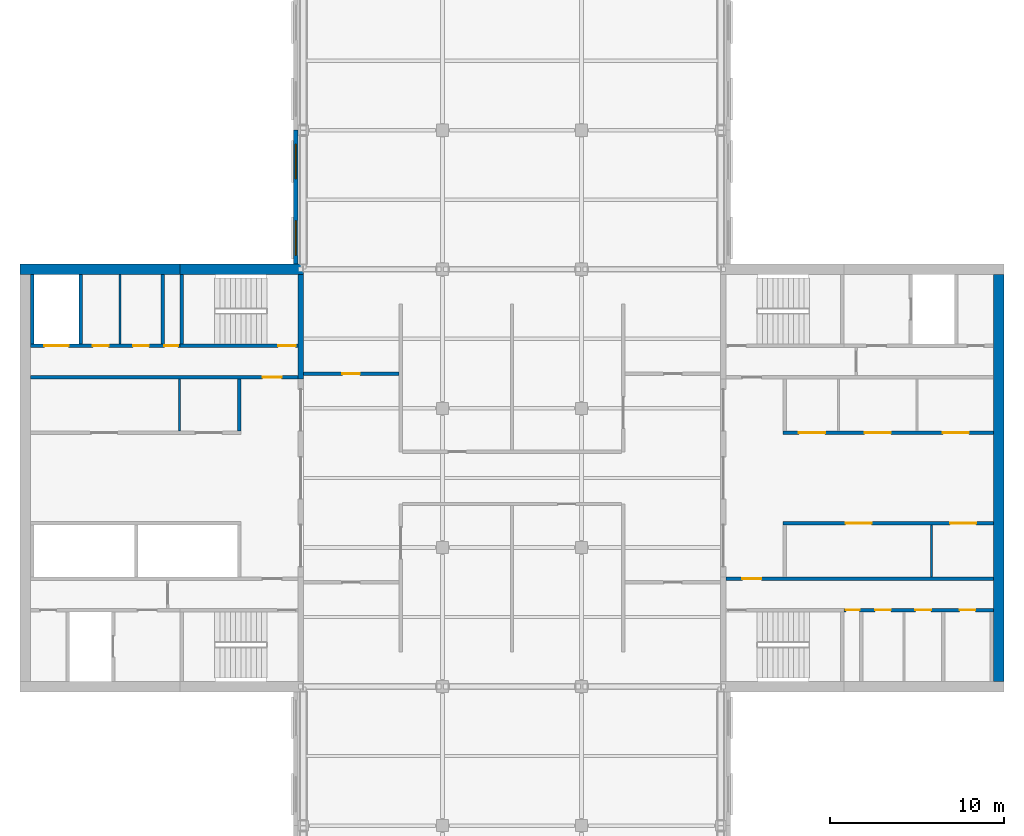
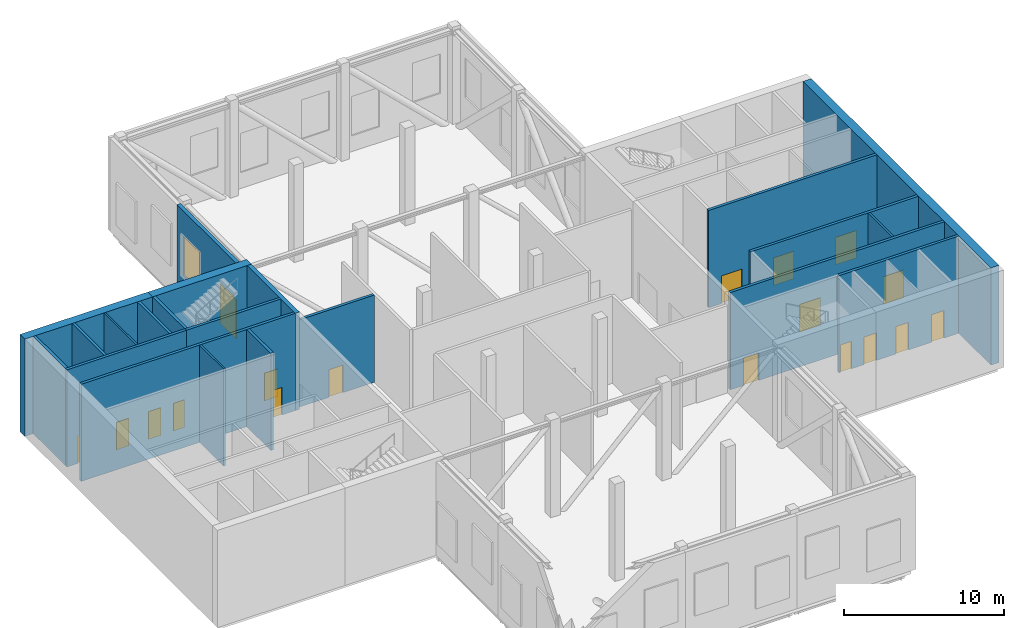
# One storey, part 5 of 10: 21 walls, 17 doors, 2 windows, 19 openings.
"""IFC4 building model written with IfcOpenShell, lengths in metres."""

from ifc_helpers import new_model, si_unit, direction, frame, frame_2d, origin, place, context, subcontext, project, spatial, rectangle, extrude, material, layer, layer_set, constituent, constituent_set, type_object, element, fill, save


model = new_model("IFC4")

# Units and contexts
model_context = context("Model", 3, precision=1e-05, world=origin(), true_north=direction((0.0, 1.0)))
body_context = subcontext(model_context, "Body", "Model", "MODEL_VIEW")
ifc_project = project(units=[si_unit("LENGTHUNIT", "METRE"), si_unit("AREAUNIT", "SQUARE_METRE"), si_unit("VOLUMEUNIT", "CUBIC_METRE"), si_unit("PLANEANGLEUNIT", "RADIAN"), si_unit("MASSUNIT", "GRAM", prefix="KILO")], contexts=[model_context])

# Site, building, storey
site_placement = place(None, origin())
site = spatial("IfcSite", under=ifc_project, at=site_placement, CompositionType="ELEMENT")
building_placement = place(site_placement, origin())
building = spatial("IfcBuilding", under=site, at=building_placement, Name="Crosswind Convention Tower", CompositionType="ELEMENT")
storey_placement = place(building_placement, frame((0.0, 0.0, 237.699951171875)))
storey = spatial("IfcBuildingStorey", under=building, at=storey_placement, Name="L51", CompositionType="ELEMENT", Elevation=237.699951171875)

# Wall
ifc_material_1 = material(Name="Concrete blockwork", Category="masonry")
ifc_layer_1 = layer(ifc_material_1, 0.199951171875)
ifc_layer_set_1 = layer_set([ifc_layer_1], Name="Blockwork partition wall 200")
wall_type_1 = type_object("IfcWallType", Name="Blockwork partition wall 200", PredefinedType="PARTITIONING", material=ifc_layer_set_1)
wall_1_placement = place(storey_placement, frame((104.89990234375, 111.699951171875, 0.0), z_axis=(0.0, 0.0, 1.0), x_axis=(0.0, -1.0, 0.0)))
element("IfcWall", 1, at=wall_1_placement, inside=storey, type_object=wall_type_1, Name="Wall MRSE W L51", PredefinedType="PARTITIONING", context=body_context, shape_type="SweptSolid", body=[
    extrude(rectangle(XDim=4.0, YDim=0.199951171875, at=frame_2d((2.0, 0.0))), origin(), (0.0, 0.0, 1.0), 7.400146484375),
])

# Wall, opening, door
ifc_layer_2 = layer(ifc_material_1, 0.199951171875)
ifc_layer_set_2 = layer_set([ifc_layer_2], Name="COMPARTMENT WALL 200 BLOCKWORK")
wall_type_2 = type_object("IfcWallType", Name="COMPARTMENT WALL 200 BLOCKWORK", PredefinedType="SOLIDWALL", material=ifc_layer_set_2)
wall_2_placement = place(storey_placement, frame((113.0, 106.0, 0.0), z_axis=(0.0, 0.0, 1.0), x_axis=(1.0, 0.0, 0.0)))
wall_2 = element("IfcWall", 2, at=wall_2_placement, inside=storey, type_object=wall_type_2, Name="Compartment wall WT42", PredefinedType="SOLIDWALL", context=body_context, shape_type="SweptSolid", body=[
    extrude(rectangle(XDim=5.5, YDim=0.199951171875, at=frame_2d((2.75, 0.0))), origin(), (0.0, 0.0, 1.0), 6.642822265625),
])
opening_1_placement = place(wall_2_placement, frame((2.25, 0.0, 0.0)))
opening_1 = element("IfcOpeningElement", 3, at=opening_1_placement, cuts=wall_2, Name="Opening L51-50", PredefinedType="OPENING", context=body_context, shape_type="SweptSolid", body=[
    extrude(rectangle(XDim=1.0, YDim=2.10009765625, at=frame_2d((0.5, 1.050048828125))), frame((0.0, 0.10986328125, 0.0), z_axis=(0.0, -1.0, 0.0), x_axis=(1.0, 0.0, 0.0)), (0.0, 0.0, 1.0), 0.219970703125),
])
ifc_material_2 = material(Name="Steel fire door", Category="steel")
door_type_1 = type_object("IfcDoorType", Name="PLANT ROOM DOOR 1000X2100 FD60", OperationType="NOTDEFINED", PredefinedType="DOOR", material=ifc_material_2)
door_1_placement = place(opening_1_placement, origin())
door_1 = element("IfcDoor", 4, at=door_1_placement, inside=storey, type_object=door_type_1, Name="Door L51-50", ObjectType="D43", OperationType="SINGLE_SWING_RIGHT", OverallHeight=2.10009765625, OverallWidth=1.0, PredefinedType="DOOR", context=body_context, shape_type="SweptSolid", body=[
    extrude(rectangle(XDim=1.0, YDim=2.10009765625, at=frame_2d((0.5, 1.050048828125))), frame((0.0, 0.02490234375, 0.0), z_axis=(0.0, -1.0, 0.0), x_axis=(1.0, 0.0, 0.0)), (0.0, 0.0, 1.0), 0.050048828125),
])
fill(opening_1, door_1)

# Wall
ifc_material_3 = material(Name="Concrete C50/60", Category="concrete")
ifc_layer_3 = layer(ifc_material_3, 0.300048828125)
ifc_layer_set_3 = layer_set([ifc_layer_3], Name="Concrete C50/60")
wall_type_3 = type_object("IfcWallType", Name="Concrete inner core wall 300", PredefinedType="SHEAR", material=ifc_layer_set_3)
wall_3_placement = place(storey_placement, frame((112.85009765625, 111.699951171875, 0.0), z_axis=(0.0, 0.0, 1.0), x_axis=(0.0, -1.0, 0.0)))
element("IfcWall", 5, at=wall_3_placement, inside=storey, type_object=wall_type_3, Name="Wall EM W L51", PredefinedType="SHEAR", context=body_context, shape_type="SweptSolid", body=[
    extrude(rectangle(XDim=6.0, YDim=0.300048828125, at=frame_2d((3.0, 0.0))), origin(), (0.0, 0.0, 1.0), 7.400146484375),
])

# Wall, openings, doors
ifc_layer_4 = layer(ifc_material_3, 0.199951171875)
ifc_layer_set_4 = layer_set([ifc_layer_4], Name="Concrete C50/60")
wall_type_4 = type_object("IfcWallType", Name="Concrete shaft and stair wall 200", PredefinedType="SHEAR", material=ifc_layer_set_4)
wall_4_placement = place(storey_placement, frame((140.60009765625, 102.60009765625, 0.0), z_axis=(0.0, 0.0, 1.0), x_axis=(1.0, 0.0, 0.0)))
wall_4 = element("IfcWall", 6, at=wall_4_placement, inside=storey, type_object=wall_type_4, Name="Wall RPFRONT E L51", PredefinedType="SHEAR", context=body_context, shape_type="SweptSolid", body=[
    extrude(rectangle(XDim=12.099853515625, YDim=0.199951171875, at=frame_2d((6.0498046875, 0.0))), origin(), (0.0, 0.0, 1.0), 7.400146484375),
])
opening_2_placement = place(wall_4_placement, frame((0.90625, 0.0, 0.0)))
opening_2 = element("IfcOpeningElement", 7, at=opening_2_placement, cuts=wall_4, Name="Opening D108", PredefinedType="OPENING", context=body_context, shape_type="SweptSolid", body=[
    extrude(rectangle(XDim=1.5, YDim=2.10009765625, at=frame_2d((0.75, 1.050048828125))), frame((0.0, 0.10986328125, 0.0), z_axis=(0.0, -1.0, 0.0), x_axis=(1.0, 0.0, 0.0)), (0.0, 0.0, 1.0), 0.219970703125),
])
opening_3_placement = place(wall_4_placement, frame((4.68603515625, 0.0, 0.0)))
opening_3 = element("IfcOpeningElement", 8, at=opening_3_placement, cuts=wall_4, Name="Opening D108", PredefinedType="OPENING", context=body_context, shape_type="SweptSolid", body=[
    extrude(rectangle(XDim=1.5, YDim=2.10009765625, at=frame_2d((0.75, 1.050048828125))), frame((0.0, 0.10986328125, 0.0), z_axis=(0.0, -1.0, 0.0), x_axis=(1.0, 0.0, 0.0)), (0.0, 0.0, 1.0), 0.219970703125),
])
opening_4_placement = place(wall_4_placement, frame((9.1796875, 0.0, 0.0)))
opening_4 = element("IfcOpeningElement", 9, at=opening_4_placement, cuts=wall_4, Name="Opening D108", PredefinedType="OPENING", context=body_context, shape_type="SweptSolid", body=[
    extrude(rectangle(XDim=1.5, YDim=2.10009765625, at=frame_2d((0.75, 1.050048828125))), frame((0.0, 0.10986328125, 0.0), z_axis=(0.0, -1.0, 0.0), x_axis=(1.0, 0.0, 0.0)), (0.0, 0.0, 1.0), 0.219970703125),
])
door_type_2 = type_object("IfcDoorType", Name="Plant room double door 1500x2100", OperationType="DOUBLE_DOOR_SINGLE_SWING", PredefinedType="DOOR", material=ifc_material_2)
door_2_placement = place(opening_2_placement, origin())
door_2 = element("IfcDoor", 10, at=door_2_placement, inside=storey, type_object=door_type_2, Name="Door to refuge area L51", ObjectType="D108", OperationType="DOUBLE_DOOR_SINGLE_SWING", OverallHeight=2.10009765625, OverallWidth=1.5, PredefinedType="DOOR", context=body_context, shape_type="SweptSolid", body=[
    extrude(rectangle(XDim=1.5, YDim=2.10009765625, at=frame_2d((0.75, 1.050048828125))), frame((0.0, 0.02490234375, 0.0), z_axis=(0.0, -1.0, 0.0), x_axis=(1.0, 0.0, 0.0)), (0.0, 0.0, 1.0), 0.050048828125),
])
fill(opening_2, door_2)
door_3_placement = place(opening_3_placement, origin())
door_3 = element("IfcDoor", 11, at=door_3_placement, inside=storey, type_object=door_type_2, Name="Door to mechanical plant room L51", ObjectType="D108", OperationType="DOUBLE_DOOR_SINGLE_SWING", OverallHeight=2.10009765625, OverallWidth=1.5, PredefinedType="DOOR", context=body_context, shape_type="SweptSolid", body=[
    extrude(rectangle(XDim=1.5, YDim=2.10009765625, at=frame_2d((0.75, 1.050048828125))), frame((0.0, 0.02490234375, 0.0), z_axis=(0.0, -1.0, 0.0), x_axis=(1.0, 0.0, 0.0)), (0.0, 0.0, 1.0), 0.050048828125),
])
fill(opening_3, door_3)
door_4_placement = place(opening_4_placement, origin())
door_4 = element("IfcDoor", 12, at=door_4_placement, inside=storey, type_object=door_type_2, Name="Door to pump room L51", ObjectType="D108", OperationType="DOUBLE_DOOR_SINGLE_SWING", OverallHeight=2.10009765625, OverallWidth=1.5, PredefinedType="DOOR", context=body_context, shape_type="SweptSolid", body=[
    extrude(rectangle(XDim=1.5, YDim=2.10009765625, at=frame_2d((0.75, 1.050048828125))), frame((0.0, 0.02490234375, 0.0), z_axis=(0.0, -1.0, 0.0), x_axis=(1.0, 0.0, 0.0)), (0.0, 0.0, 1.0), 0.050048828125),
])
fill(opening_4, door_4)

wall_5_placement = place(storey_placement, frame((140.60009765625, 97.39990234375, 0.0), z_axis=(0.0, 0.0, 1.0), x_axis=(1.0, 0.0, 0.0)))
wall_5 = element("IfcWall", 13, at=wall_5_placement, inside=storey, type_object=wall_type_4, Name="Wall RMFRONT E L51", PredefinedType="SHEAR", context=body_context, shape_type="SweptSolid", body=[
    extrude(rectangle(XDim=12.099853515625, YDim=0.199951171875, at=frame_2d((6.0498046875, 0.0))), origin(), (0.0, 0.0, 1.0), 7.400146484375),
])
opening_5_placement = place(wall_5_placement, frame((3.583740234375, 0.0, 0.0)))
opening_5 = element("IfcOpeningElement", 14, at=opening_5_placement, cuts=wall_5, Name="Opening D108", PredefinedType="OPENING", context=body_context, shape_type="SweptSolid", body=[
    extrude(rectangle(XDim=1.5, YDim=2.10009765625, at=frame_2d((0.75, 1.050048828125))), frame((0.0, 0.10986328125, 0.0), z_axis=(0.0, -1.0, 0.0), x_axis=(1.0, 0.0, 0.0)), (0.0, 0.0, 1.0), 0.219970703125),
])
opening_6_placement = place(wall_5_placement, frame((9.59619140625, 0.0, 0.0)))
opening_6 = element("IfcOpeningElement", 15, at=opening_6_placement, cuts=wall_5, Name="Opening D108", PredefinedType="OPENING", context=body_context, shape_type="SweptSolid", body=[
    extrude(rectangle(XDim=1.5, YDim=2.10009765625, at=frame_2d((0.75, 1.050048828125))), frame((0.0, 0.10986328125, 0.0), z_axis=(0.0, -1.0, 0.0), x_axis=(1.0, 0.0, 0.0)), (0.0, 0.0, 1.0), 0.219970703125),
])
door_5_placement = place(opening_5_placement, frame((1.5, 0.0, 0.0), z_axis=(0.0, 0.0, 1.0), x_axis=(-1.0, 0.0, 0.0)))
door_5 = element("IfcDoor", 16, at=door_5_placement, inside=storey, type_object=door_type_2, Name="Door to mechanical plant room L51", ObjectType="D108", OperationType="DOUBLE_DOOR_SINGLE_SWING", OverallHeight=2.10009765625, OverallWidth=1.5, PredefinedType="DOOR", context=body_context, shape_type="SweptSolid", body=[
    extrude(rectangle(XDim=1.5, YDim=2.10009765625, at=frame_2d((0.75, 1.050048828125))), frame((0.0, 0.02490234375, 0.0), z_axis=(0.0, -1.0, 0.0), x_axis=(1.0, 0.0, 0.0)), (0.0, 0.0, 1.0), 0.050048828125),
])
fill(opening_5, door_5)
door_6_placement = place(opening_6_placement, frame((1.5, 0.0, 0.0), z_axis=(0.0, 0.0, 1.0), x_axis=(-1.0, 0.0, 0.0)))
door_6 = element("IfcDoor", 17, at=door_6_placement, inside=storey, type_object=door_type_2, Name="Door to pump room L51", ObjectType="D108", OperationType="DOUBLE_DOOR_SINGLE_SWING", OverallHeight=2.10009765625, OverallWidth=1.5, PredefinedType="DOOR", context=body_context, shape_type="SweptSolid", body=[
    extrude(rectangle(XDim=1.5, YDim=2.10009765625, at=frame_2d((0.75, 1.050048828125))), frame((0.0, 0.02490234375, 0.0), z_axis=(0.0, -1.0, 0.0), x_axis=(1.0, 0.0, 0.0)), (0.0, 0.0, 1.0), 0.050048828125),
])
fill(opening_6, door_6)

# Wall, opening, door
wall_6_placement = place(storey_placement, frame((137.300048828125, 94.199951171875, 0.0), z_axis=(0.0, 0.0, 1.0), x_axis=(1.0, 0.0, 0.0)))
wall_6 = element("IfcWall", 18, at=wall_6_placement, inside=storey, type_object=wall_type_4, Name="Wall HM E L51", PredefinedType="SHEAR", context=body_context, shape_type="SweptSolid", body=[
    extrude(rectangle(XDim=15.39990234375, YDim=0.199951171875, at=frame_2d((7.699951171875, 0.0))), origin(), (0.0, 0.0, 1.0), 7.400146484375),
])
opening_7_placement = place(wall_6_placement, frame((0.949951171875, 0.0, 0.0)))
opening_7 = element("IfcOpeningElement", 19, at=opening_7_placement, cuts=wall_6, Name="Opening D104", PredefinedType="OPENING", context=body_context, shape_type="SweptSolid", body=[
    extrude(rectangle(XDim=1.10009765625, YDim=2.10009765625, at=frame_2d((0.550048828125, 1.050048828125))), frame((0.0, 0.10986328125, 0.0), z_axis=(0.0, -1.0, 0.0), x_axis=(1.0, 0.0, 0.0)), (0.0, 0.0, 1.0), 0.219970703125),
])
door_type_3 = type_object("IfcDoorType", Name="Fire-rated single door 1100x2100", OperationType="NOTDEFINED", PredefinedType="DOOR", material=ifc_material_2)
door_7_placement = place(opening_7_placement, origin())
door_7 = element("IfcDoor", 20, at=door_7_placement, inside=storey, type_object=door_type_3, Name="Corridor door L51", ObjectType="D104", OperationType="SINGLE_SWING_LEFT", OverallHeight=2.10009765625, OverallWidth=1.10009765625, PredefinedType="DOOR", context=body_context, shape_type="SweptSolid", body=[
    extrude(rectangle(XDim=1.10009765625, YDim=2.10009765625, at=frame_2d((0.550048828125, 1.050048828125))), frame((0.0, 0.02490234375, 0.0), z_axis=(0.0, -1.0, 0.0), x_axis=(1.0, 0.0, 0.0)), (0.0, 0.0, 1.0), 0.050048828125),
])
fill(opening_7, door_7)

# Wall, openings, doors
wall_7_placement = place(storey_placement, frame((144.10009765625, 92.39990234375, 0.0), z_axis=(0.0, 0.0, 1.0), x_axis=(1.0, 0.0, 0.0)))
wall_7 = element("IfcWall", 21, at=wall_7_placement, inside=storey, type_object=wall_type_4, Name="Wall MCX E L51", PredefinedType="SHEAR", context=body_context, shape_type="SweptSolid", body=[
    extrude(rectangle(XDim=8.599853515625, YDim=0.199951171875, at=frame_2d((4.2998046875, 0.0))), origin(), (0.0, 0.0, 1.0), 7.400146484375),
])
opening_8_placement = place(wall_7_placement, frame((0.10009765625, 0.0, 0.0)))
opening_8 = element("IfcOpeningElement", 22, at=opening_8_placement, cuts=wall_7, Name="Opening D105", PredefinedType="OPENING", context=body_context, shape_type="SweptSolid", body=[
    extrude(rectangle(XDim=0.800048828125, YDim=2.10009765625, at=frame_2d((0.39990234375, 1.050048828125))), frame((0.0, 0.10986328125, 0.0), z_axis=(0.0, -1.0, 0.0), x_axis=(1.0, 0.0, 0.0)), (0.0, 0.0, 1.0), 0.219970703125),
])
opening_9_placement = place(wall_7_placement, frame((1.788818359375, 0.0, 0.0)))
opening_9 = element("IfcOpeningElement", 23, at=opening_9_placement, cuts=wall_7, Name="Opening D106", PredefinedType="OPENING", context=body_context, shape_type="SweptSolid", body=[
    extrude(rectangle(XDim=0.89990234375, YDim=2.10009765625, at=frame_2d((0.449951171875, 1.050048828125))), frame((0.0, 0.10986328125, 0.0), z_axis=(0.0, -1.0, 0.0), x_axis=(1.0, 0.0, 0.0)), (0.0, 0.0, 1.0), 0.219970703125),
])
opening_10_placement = place(wall_7_placement, frame((4.101318359375, 0.0, 0.0)))
opening_10 = element("IfcOpeningElement", 24, at=opening_10_placement, cuts=wall_7, Name="Opening D106", PredefinedType="OPENING", context=body_context, shape_type="SweptSolid", body=[
    extrude(rectangle(XDim=0.89990234375, YDim=2.10009765625, at=frame_2d((0.449951171875, 1.050048828125))), frame((0.0, 0.10986328125, 0.0), z_axis=(0.0, -1.0, 0.0), x_axis=(1.0, 0.0, 0.0)), (0.0, 0.0, 1.0), 0.219970703125),
])
opening_11_placement = place(wall_7_placement, frame((6.64990234375, 0.0, 0.0)))
opening_11 = element("IfcOpeningElement", 25, at=opening_11_placement, cuts=wall_7, Name="Opening D106", PredefinedType="OPENING", context=body_context, shape_type="SweptSolid", body=[
    extrude(rectangle(XDim=0.89990234375, YDim=2.10009765625, at=frame_2d((0.449951171875, 1.050048828125))), frame((0.0, 0.10986328125, 0.0), z_axis=(0.0, -1.0, 0.0), x_axis=(1.0, 0.0, 0.0)), (0.0, 0.0, 1.0), 0.219970703125),
])
door_type_4 = type_object("IfcDoorType", Name="Riser access door 800x2100", OperationType="NOTDEFINED", PredefinedType="DOOR", material=ifc_material_2)
door_8_placement = place(opening_8_placement, frame((0.800048828125, 0.0, 0.0), z_axis=(0.0, 0.0, 1.0), x_axis=(-1.0, 0.0, 0.0)))
door_8 = element("IfcDoor", 26, at=door_8_placement, inside=storey, type_object=door_type_4, Name="Riser door L51", ObjectType="D105", OperationType="SINGLE_SWING_LEFT", OverallHeight=2.10009765625, OverallWidth=0.800048828125, PredefinedType="DOOR", context=body_context, shape_type="SweptSolid", body=[
    extrude(rectangle(XDim=0.800048828125, YDim=2.10009765625, at=frame_2d((0.39990234375, 1.050048828125))), frame((0.0, 0.02490234375, 0.0), z_axis=(0.0, -1.0, 0.0), x_axis=(1.0, 0.0, 0.0)), (0.0, 0.0, 1.0), 0.050048828125),
])
fill(opening_8, door_8)
ifc_material_4 = material(Name="Timber door", Category="wood")
door_type_5 = type_object("IfcDoorType", Name="Single leaf door 900x2100", OperationType="NOTDEFINED", PredefinedType="DOOR", material=ifc_material_4)
door_9_placement = place(opening_9_placement, frame((0.89990234375, 0.0, 0.0), z_axis=(0.0, 0.0, 1.0), x_axis=(-1.0, 0.0, 0.0)))
door_9 = element("IfcDoor", 27, at=door_9_placement, inside=storey, type_object=door_type_5, Name="Door to mechanical plant room L51", ObjectType="D106", OperationType="SINGLE_SWING_LEFT", OverallHeight=2.10009765625, OverallWidth=0.89990234375, PredefinedType="DOOR", context=body_context, shape_type="SweptSolid", body=[
    extrude(rectangle(XDim=0.89990234375, YDim=2.10009765625, at=frame_2d((0.449951171875, 1.050048828125))), frame((0.0, 0.02490234375, 0.0), z_axis=(0.0, -1.0, 0.0), x_axis=(1.0, 0.0, 0.0)), (0.0, 0.0, 1.0), 0.050048828125),
])
fill(opening_9, door_9)
door_10_placement = place(opening_10_placement, frame((0.89990234375, 0.0, 0.0), z_axis=(0.0, 0.0, 1.0), x_axis=(-1.0, 0.0, 0.0)))
door_10 = element("IfcDoor", 28, at=door_10_placement, inside=storey, type_object=door_type_5, Name="Door to pump room L51", ObjectType="D106", OperationType="SINGLE_SWING_LEFT", OverallHeight=2.10009765625, OverallWidth=0.89990234375, PredefinedType="DOOR", context=body_context, shape_type="SweptSolid", body=[
    extrude(rectangle(XDim=0.89990234375, YDim=2.10009765625, at=frame_2d((0.449951171875, 1.050048828125))), frame((0.0, 0.02490234375, 0.0), z_axis=(0.0, -1.0, 0.0), x_axis=(1.0, 0.0, 0.0)), (0.0, 0.0, 1.0), 0.050048828125),
])
fill(opening_10, door_10)
door_11_placement = place(opening_11_placement, frame((0.89990234375, 0.0, 0.0), z_axis=(0.0, 0.0, 1.0), x_axis=(-1.0, 0.0, 0.0)))
door_11 = element("IfcDoor", 29, at=door_11_placement, inside=storey, type_object=door_type_5, Name="Door to pump room L51", ObjectType="D106", OperationType="SINGLE_SWING_LEFT", OverallHeight=2.10009765625, OverallWidth=0.89990234375, PredefinedType="DOOR", context=body_context, shape_type="SweptSolid", body=[
    extrude(rectangle(XDim=0.89990234375, YDim=2.10009765625, at=frame_2d((0.449951171875, 1.050048828125))), frame((0.0, 0.02490234375, 0.0), z_axis=(0.0, -1.0, 0.0), x_axis=(1.0, 0.0, 0.0)), (0.0, 0.0, 1.0), 0.050048828125),
])
fill(opening_11, door_11)

# Wall
wall_8_placement = place(storey_placement, frame((109.300048828125, 105.699951171875, 0.0), z_axis=(0.0, 0.0, 1.0), x_axis=(0.0, -1.0, 0.0)))
element("IfcWall", 30, at=wall_8_placement, inside=storey, type_object=wall_type_4, Name="Wall RMEND W L51", PredefinedType="SHEAR", context=body_context, shape_type="SweptSolid", body=[
    extrude(rectangle(XDim=3.0, YDim=0.199951171875, at=frame_2d((1.5, 0.0))), origin(), (0.0, 0.0, 1.0), 7.400146484375),
])

# Wall, opening, door
wall_9_placement = place(storey_placement, frame((112.699951171875, 105.800048828125, 0.0), z_axis=(0.0, 0.0, 1.0), x_axis=(-1.0, 0.0, 0.0)))
wall_9 = element("IfcWall", 31, at=wall_9_placement, inside=storey, type_object=wall_type_4, Name="Wall HM W L51", PredefinedType="SHEAR", context=body_context, shape_type="SweptSolid", body=[
    extrude(rectangle(XDim=15.39990234375, YDim=0.199951171875, at=frame_2d((7.699951171875, 0.0))), origin(), (0.0, 0.0, 1.0), 7.400146484375),
])
opening_12_placement = place(wall_9_placement, frame((0.949951171875, 0.0, 0.0)))
opening_12 = element("IfcOpeningElement", 32, at=opening_12_placement, cuts=wall_9, Name="Opening D104", PredefinedType="OPENING", context=body_context, shape_type="SweptSolid", body=[
    extrude(rectangle(XDim=1.10009765625, YDim=2.10009765625, at=frame_2d((0.550048828125, 1.050048828125))), frame((0.0, 0.10986328125, 0.0), z_axis=(0.0, -1.0, 0.0), x_axis=(1.0, 0.0, 0.0)), (0.0, 0.0, 1.0), 0.219970703125),
])
door_12_placement = place(opening_12_placement, origin())
door_12 = element("IfcDoor", 33, at=door_12_placement, inside=storey, type_object=door_type_3, Name="Corridor door L51", ObjectType="D104", OperationType="SINGLE_SWING_LEFT", OverallHeight=2.10009765625, OverallWidth=1.10009765625, PredefinedType="DOOR", context=body_context, shape_type="SweptSolid", body=[
    extrude(rectangle(XDim=1.10009765625, YDim=2.10009765625, at=frame_2d((0.550048828125, 1.050048828125))), frame((0.0, 0.02490234375, 0.0), z_axis=(0.0, -1.0, 0.0), x_axis=(1.0, 0.0, 0.0)), (0.0, 0.0, 1.0), 0.050048828125),
])
fill(opening_12, door_12)

# Walls
for number, where, z_axis, x_axis, name in (
    (34, (106.0, 111.699951171875, 0.0), (0.0, 0.0, 1.0), (0.0, -1.0, 0.0), "Wall MSE W L51"),
    (35, (100.199951171875, 111.699951171875, 0.0), (0.0, 0.0, 1.0), (0.0, -1.0, 0.0), "Wall MFSW W L51"),
    (36, (97.39990234375, 111.699951171875, 0.0), (0.0, 0.0, 1.0), (0.0, -1.0, 0.0), "Wall MFSE W L51"),
):
    element("IfcWall", number, at=place(storey_placement, frame(where, z_axis=z_axis, x_axis=x_axis)), inside=storey, type_object=wall_type_4, Name=name, PredefinedType="SHEAR", context=body_context, shape_type="SweptSolid", body=[
        extrude(rectangle(XDim=4.0, YDim=0.199951171875, at=frame_2d((2.0, 0.0))), origin(), (0.0, 0.0, 1.0), 7.400146484375),
    ])

# Wall, opening, door
wall_10_placement = place(storey_placement, frame((112.699951171875, 107.60009765625, 0.0), z_axis=(0.0, 0.0, 1.0), x_axis=(-1.0, 0.0, 0.0)))
wall_10 = element("IfcWall", 37, at=wall_10_placement, inside=storey, type_object=wall_type_4, Name="Wall MCW W L51", PredefinedType="SHEAR", context=body_context, shape_type="SweptSolid", body=[
    extrude(rectangle(XDim=6.800048828125, YDim=0.199951171875, at=frame_2d((3.39990234375, 0.0))), origin(), (0.0, 0.0, 1.0), 7.400146484375),
])
opening_13_placement = place(wall_10_placement, frame((0.14990234375, 0.0, 0.0)))
opening_13 = element("IfcOpeningElement", 38, at=opening_13_placement, cuts=wall_10, Name="Opening D103", PredefinedType="OPENING", context=body_context, shape_type="SweptSolid", body=[
    extrude(rectangle(XDim=1.0, YDim=2.10009765625, at=frame_2d((0.5, 1.050048828125))), frame((0.0, 0.10986328125, 0.0), z_axis=(0.0, -1.0, 0.0), x_axis=(1.0, 0.0, 0.0)), (0.0, 0.0, 1.0), 0.219970703125),
])
door_type_6 = type_object("IfcDoorType", Name="Fire-rated single door 1000x2100", OperationType="NOTDEFINED", PredefinedType="DOOR", material=ifc_material_2)
door_13_placement = place(opening_13_placement, frame((1.0, 0.0, 0.0), z_axis=(0.0, 0.0, 1.0), x_axis=(-1.0, 0.0, 0.0)))
door_13 = element("IfcDoor", 39, at=door_13_placement, inside=storey, type_object=door_type_6, Name="Stair ST4 door L51", ObjectType="D103", OperationType="SINGLE_SWING_RIGHT", OverallHeight=2.10009765625, OverallWidth=1.0, PredefinedType="DOOR", context=body_context, shape_type="SweptSolid", body=[
    extrude(rectangle(XDim=1.0, YDim=2.10009765625, at=frame_2d((0.5, 1.050048828125))), frame((0.0, 0.02490234375, 0.0), z_axis=(0.0, -1.0, 0.0), x_axis=(1.0, 0.0, 0.0)), (0.0, 0.0, 1.0), 0.050048828125),
])
fill(opening_13, door_13)

# Wall, openings, doors
wall_11_placement = place(storey_placement, frame((105.89990234375, 107.60009765625, 0.0), z_axis=(0.0, 0.0, 1.0), x_axis=(-1.0, 0.0, 0.0)))
wall_11 = element("IfcWall", 40, at=wall_11_placement, inside=storey, type_object=wall_type_4, Name="Wall MCX W L51", PredefinedType="SHEAR", context=body_context, shape_type="SweptSolid", body=[
    extrude(rectangle(XDim=8.599853515625, YDim=0.199951171875, at=frame_2d((4.2998046875, 0.0))), origin(), (0.0, 0.0, 1.0), 7.400146484375),
])
opening_14_placement = place(wall_11_placement, frame((0.10009765625, 0.0, 0.0)))
opening_14 = element("IfcOpeningElement", 41, at=opening_14_placement, cuts=wall_11, Name="Opening D105", PredefinedType="OPENING", context=body_context, shape_type="SweptSolid", body=[
    extrude(rectangle(XDim=0.800048828125, YDim=2.10009765625, at=frame_2d((0.39990234375, 1.050048828125))), frame((0.0, 0.10986328125, 0.0), z_axis=(0.0, -1.0, 0.0), x_axis=(1.0, 0.0, 0.0)), (0.0, 0.0, 1.0), 0.219970703125),
])
opening_15_placement = place(wall_11_placement, frame((1.788818359375, 0.0, 0.0)))
opening_15 = element("IfcOpeningElement", 42, at=opening_15_placement, cuts=wall_11, Name="Opening D106", PredefinedType="OPENING", context=body_context, shape_type="SweptSolid", body=[
    extrude(rectangle(XDim=0.89990234375, YDim=2.10009765625, at=frame_2d((0.449951171875, 1.050048828125))), frame((0.0, 0.10986328125, 0.0), z_axis=(0.0, -1.0, 0.0), x_axis=(1.0, 0.0, 0.0)), (0.0, 0.0, 1.0), 0.219970703125),
])
opening_16_placement = place(wall_11_placement, frame((4.101318359375, 0.0, 0.0)))
opening_16 = element("IfcOpeningElement", 43, at=opening_16_placement, cuts=wall_11, Name="Opening D106", PredefinedType="OPENING", context=body_context, shape_type="SweptSolid", body=[
    extrude(rectangle(XDim=0.89990234375, YDim=2.10009765625, at=frame_2d((0.449951171875, 1.050048828125))), frame((0.0, 0.10986328125, 0.0), z_axis=(0.0, -1.0, 0.0), x_axis=(1.0, 0.0, 0.0)), (0.0, 0.0, 1.0), 0.219970703125),
])
opening_17_placement = place(wall_11_placement, frame((6.39990234375, 0.0, 0.0)))
opening_17 = element("IfcOpeningElement", 44, at=opening_17_placement, cuts=wall_11, Name="Opening LD2", PredefinedType="OPENING", context=body_context, shape_type="SweptSolid", body=[
    extrude(rectangle(XDim=1.39990234375, YDim=2.10009765625, at=frame_2d((0.699951171875, 1.050048828125))), frame((0.0, 0.10986328125, 0.0), z_axis=(0.0, -1.0, 0.0), x_axis=(1.0, 0.0, 0.0)), (0.0, 0.0, 1.0), 0.219970703125),
])
ifc_material_5 = material(Name="Stainless steel", Category="steel")
door_type_7 = type_object("IfcDoorType", Name="Lift landing door 1400x2100", OperationType="DOUBLE_DOOR_SLIDING", PredefinedType="DOOR", material=ifc_material_5)
door_14_placement = place(opening_17_placement, origin())
door_14 = element("IfcDoor", 45, at=door_14_placement, inside=storey, type_object=door_type_7, Name="Landing door SV2 L51", ObjectType="LD2", OperationType="DOUBLE_DOOR_SLIDING", OverallHeight=2.10009765625, OverallWidth=1.39990234375, PredefinedType="DOOR", context=body_context, shape_type="SweptSolid", body=[
    extrude(rectangle(XDim=1.39990234375, YDim=2.10009765625, at=frame_2d((0.699951171875, 1.050048828125))), frame((0.0, 0.02490234375, 0.0), z_axis=(0.0, -1.0, 0.0), x_axis=(1.0, 0.0, 0.0)), (0.0, 0.0, 1.0), 0.050048828125),
])
fill(opening_17, door_14)
door_15_placement = place(opening_14_placement, frame((0.800048828125, 0.0, 0.0), z_axis=(0.0, 0.0, 1.0), x_axis=(-1.0, 0.0, 0.0)))
door_15 = element("IfcDoor", 46, at=door_15_placement, inside=storey, type_object=door_type_4, Name="Riser door L51", ObjectType="D105", OperationType="SINGLE_SWING_LEFT", OverallHeight=2.10009765625, OverallWidth=0.800048828125, PredefinedType="DOOR", context=body_context, shape_type="SweptSolid", body=[
    extrude(rectangle(XDim=0.800048828125, YDim=2.10009765625, at=frame_2d((0.39990234375, 1.050048828125))), frame((0.0, 0.02490234375, 0.0), z_axis=(0.0, -1.0, 0.0), x_axis=(1.0, 0.0, 0.0)), (0.0, 0.0, 1.0), 0.050048828125),
])
fill(opening_14, door_15)
door_16_placement = place(opening_15_placement, frame((0.89990234375, 0.0, 0.0), z_axis=(0.0, 0.0, 1.0), x_axis=(-1.0, 0.0, 0.0)))
door_16 = element("IfcDoor", 47, at=door_16_placement, inside=storey, type_object=door_type_5, Name="Door to mechanical plant room L51", ObjectType="D106", OperationType="SINGLE_SWING_LEFT", OverallHeight=2.10009765625, OverallWidth=0.89990234375, PredefinedType="DOOR", context=body_context, shape_type="SweptSolid", body=[
    extrude(rectangle(XDim=0.89990234375, YDim=2.10009765625, at=frame_2d((0.449951171875, 1.050048828125))), frame((0.0, 0.02490234375, 0.0), z_axis=(0.0, -1.0, 0.0), x_axis=(1.0, 0.0, 0.0)), (0.0, 0.0, 1.0), 0.050048828125),
])
fill(opening_15, door_16)
door_17_placement = place(opening_16_placement, frame((0.89990234375, 0.0, 0.0), z_axis=(0.0, 0.0, 1.0), x_axis=(-1.0, 0.0, 0.0)))
door_17 = element("IfcDoor", 48, at=door_17_placement, inside=storey, type_object=door_type_5, Name="Door to pump room L51", ObjectType="D106", OperationType="SINGLE_SWING_LEFT", OverallHeight=2.10009765625, OverallWidth=0.89990234375, PredefinedType="DOOR", context=body_context, shape_type="SweptSolid", body=[
    extrude(rectangle(XDim=0.89990234375, YDim=2.10009765625, at=frame_2d((0.449951171875, 1.050048828125))), frame((0.0, 0.02490234375, 0.0), z_axis=(0.0, -1.0, 0.0), x_axis=(1.0, 0.0, 0.0)), (0.0, 0.0, 1.0), 0.050048828125),
])
fill(opening_16, door_17)

# Walls
ifc_material_6 = material(Name="Gypsum plasterboard partition", Category="gypsum")
ifc_layer_5 = layer(ifc_material_6, 0.125)
ifc_layer_set_5 = layer_set([ifc_layer_5], Name="Drywall partition wall 125")
wall_type_5 = type_object("IfcWallType", Name="Drywall partition wall 125", PredefinedType="PARTITIONING", material=ifc_layer_set_5)
for number, where, z_axis, x_axis, name in (
    (49, (149.1298828125, 94.300048828125, 0.0), (0.0, 0.0, 1.0), (0.0, 1.0, 0.0), "Wall RMP1 E L51"),
    (50, (105.867919921875, 105.699951171875, 0.0), (0.0, 0.0, 1.0), (0.0, -1.0, 0.0), "Wall RMP1 W L51"),
):
    element("IfcWall", number, at=place(storey_placement, frame(where, z_axis=z_axis, x_axis=x_axis)), inside=storey, type_object=wall_type_5, Name=name, PredefinedType="PARTITIONING", context=body_context, shape_type="SweptSolid", body=[
        extrude(rectangle(XDim=3.0, YDim=0.125, at=frame_2d((1.5, 0.0))), origin(), (0.0, 0.0, 1.0), 7.400146484375),
    ])
wall_12_placement = place(storey_placement, frame((102.4599609375, 111.699951171875, 0.0), z_axis=(0.0, 0.0, 1.0), x_axis=(0.0, -1.0, 0.0)))
element("IfcWall", 51, at=wall_12_placement, inside=storey, type_object=wall_type_5, Name="Wall MWP1 W L51", PredefinedType="PARTITIONING", context=body_context, shape_type="SweptSolid", body=[
    extrude(rectangle(XDim=4.0, YDim=0.125, at=frame_2d((2.0, 0.0))), origin(), (0.0, 0.0, 1.0), 7.400146484375),
])

# Wall, openings, windows
ifc_material_7 = material(Name="Terracotta rainscreen", Category="ceramic")
ifc_layer_6 = layer(ifc_material_7, 0.02001953125)
ifc_material_8 = material(Name="Mineral wool insulation", Category="insulation")
ifc_layer_7 = layer(ifc_material_8, 0.10009765625)
ifc_material_9 = material(Name="Steel S355", Category="steel")
ifc_layer_8 = layer(ifc_material_9, 0.139892578125)
ifc_layer_set_6 = layer_set([ifc_layer_6, ifc_layer_7, ifc_layer_8], Name="Terracotta rainscreen, Mineral wool insulation, Steel S355")
wall_type_6 = type_object("IfcWallType", Name="TERRACOTTA PLANT WALL 260", PredefinedType="SOLIDWALL", material=ifc_layer_set_6)
wall_13_placement = place(storey_placement, frame((112.56494140625, 120.0, 0.0), z_axis=(0.0, 0.0, 1.0), x_axis=(0.0, -1.0, 0.0)))
wall_13 = element("IfcWall", 52, at=wall_13_placement, inside=storey, type_object=wall_type_6, Name="Plant room wall L51 N-W.1-2", PredefinedType="SOLIDWALL", context=body_context, shape_type="SweptSolid", body=[
    extrude(rectangle(XDim=7.699951171875, YDim=0.260009765625, at=frame_2d((3.85009765625, 0.0))), origin(), (0.0, 0.0, 1.0), 7.10009765625),
])
opening_18_placement = place(wall_13_placement, frame((0.800048828125, 0.0, 2.199951171875)))
opening_18 = element("IfcOpeningElement", 53, at=opening_18_placement, cuts=wall_13, Name="Opening W11", PredefinedType="OPENING", context=body_context, shape_type="SweptSolid", body=[
    extrude(rectangle(XDim=2.0, YDim=3.0, at=frame_2d((1.0, 1.5))), frame((0.0, 0.139892578125, 0.0), z_axis=(0.0, -1.0, 0.0), x_axis=(1.0, 0.0, 0.0)), (0.0, 0.0, 1.0), 0.280029296875),
])
opening_19_placement = place(wall_13_placement, frame((5.199951171875, 0.0, 1.199951171875)))
opening_19 = element("IfcOpeningElement", 54, at=opening_19_placement, cuts=wall_13, Name="Opening W11", PredefinedType="OPENING", context=body_context, shape_type="SweptSolid", body=[
    extrude(rectangle(XDim=2.0, YDim=3.0, at=frame_2d((1.0, 1.5))), frame((0.0, 0.139892578125, 0.0), z_axis=(0.0, -1.0, 0.0), x_axis=(1.0, 0.0, 0.0)), (0.0, 0.0, 1.0), 0.280029296875),
])
ifc_material_10 = material(Name="Aluminium louvre", Category="aluminium")
window_type = type_object("IfcWindowType", Name="LOUVRE VENT 2000X3000", PartitioningType="SINGLE_PANEL", PredefinedType="WINDOW", material=ifc_material_10)
window_1_placement = place(opening_18_placement, origin())
window_1 = element("IfcWindow", 55, at=window_1_placement, inside=storey, type_object=window_type, Name="W11 louvre vent L51 N-W.1-2.1", ObjectType="W11", OverallHeight=3.0, OverallWidth=2.0, PartitioningType="SINGLE_PANEL", PredefinedType="WINDOW", context=body_context, shape_type="SweptSolid", body=[
    extrude(rectangle(XDim=2.0, YDim=3.0, at=frame_2d((1.0, 1.5))), frame((0.0, 0.030029296875, 0.0), z_axis=(0.0, -1.0, 0.0), x_axis=(1.0, 0.0, 0.0)), (0.0, 0.0, 1.0), 0.06005859375),
])
fill(opening_18, window_1)
window_2_placement = place(opening_19_placement, origin())
window_2 = element("IfcWindow", 56, at=window_2_placement, inside=storey, type_object=window_type, Name="W11 louvre vent L51 N-W.1-2.2", ObjectType="W11", OverallHeight=3.0, OverallWidth=2.0, PartitioningType="SINGLE_PANEL", PredefinedType="WINDOW", context=body_context, shape_type="SweptSolid", body=[
    extrude(rectangle(XDim=2.0, YDim=3.0, at=frame_2d((1.0, 1.5))), frame((0.0, 0.030029296875, 0.0), z_axis=(0.0, -1.0, 0.0), x_axis=(1.0, 0.0, 0.0)), (0.0, 0.0, 1.0), 0.06005859375),
])
fill(opening_19, window_2)

# Walls
ifc_material_11 = material(Name="Concrete C60/75", Category="concrete")
ifc_constituent_1 = constituent(ifc_material_11, Name="Structure")
ifc_constituent_2 = constituent(ifc_material_7, Name="Facing")
ifc_constituent_set = constituent_set(constituents=[ifc_constituent_1, ifc_constituent_2], Name="Concrete C60/75, Terracotta rainscreen")
wall_type_7 = type_object("IfcWallType", Name="Terracotta rainscreen on concrete core wall 600", PredefinedType="SHEAR", material=ifc_constituent_set)
wall_14_placement = place(storey_placement, frame((153.0, 88.300048828125, 0.0), z_axis=(0.0, 0.0, 1.0), x_axis=(0.0, 1.0, 0.0)))
element("IfcWall", 57, at=wall_14_placement, inside=storey, type_object=wall_type_7, Name="Wall O E L51", PredefinedType="SHEAR", context=body_context, shape_type="SweptSolid", body=[
    extrude(rectangle(XDim=23.39990234375, YDim=0.60009765625, at=frame_2d((11.699951171875, 0.0))), origin(), (0.0, 0.0, 1.0), 7.400146484375),
])
wall_15_placement = place(storey_placement, frame((113.0, 112.0, 0.0), z_axis=(0.0, 0.0, 1.0), x_axis=(-1.0, 0.0, 0.0)))
element("IfcWall", 58, at=wall_15_placement, inside=storey, type_object=wall_type_7, Name="Wall S1 W L51", PredefinedType="SHEAR", context=body_context, shape_type="SweptSolid", body=[
    extrude(rectangle(XDim=7.10009765625, YDim=0.60009765625, at=frame_2d((3.550048828125, 0.0))), origin(), (0.0, 0.0, 1.0), 7.400146484375),
])
wall_16_placement = place(storey_placement, frame((105.89990234375, 112.0, 0.0), z_axis=(0.0, 0.0, 1.0), x_axis=(-1.0, 0.0, 0.0)))
element("IfcWall", 59, at=wall_16_placement, inside=storey, type_object=wall_type_7, Name="Wall S2 W L51", PredefinedType="SHEAR", context=body_context, shape_type="SweptSolid", body=[
    extrude(rectangle(XDim=9.199951171875, YDim=0.60009765625, at=frame_2d((4.60009765625, 0.0))), origin(), (0.0, 0.0, 1.0), 7.400146484375),
])

save(model, "model.ifc")
